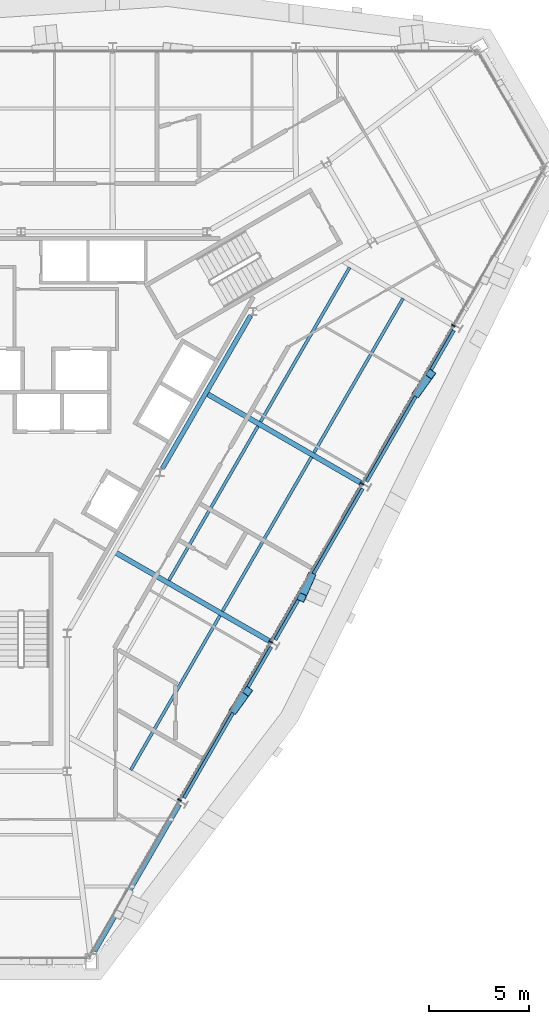
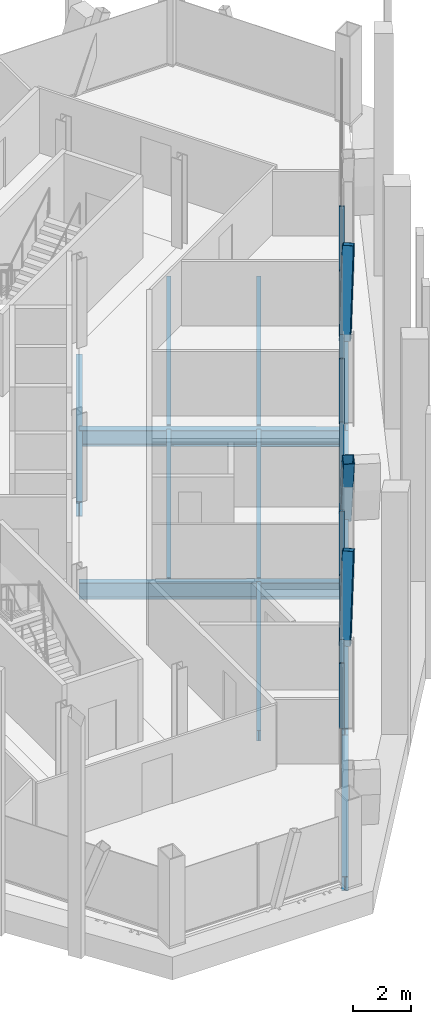
# One storey, part 5 of 16: 12 beams, 10 members, 1 element without a shape of its own.
"""IFC4 building model written with IfcOpenShell, lengths in metres."""

from ifc_helpers import new_model, si_unit, direction, frame, origin, origin_2d, place, context, subcontext, project, spatial, rectangle, hollow_rectangle, i_section, extrude, material, material_profile, profile_set, type_object, element, aggregate, save


model = new_model("IFC4")

# Units and contexts
model_context = context("Model", 3, precision=1e-05, world=origin(), true_north=direction((0.0, 1.0)))
body_context = subcontext(model_context, "Body", "Model", "MODEL_VIEW")
ifc_project = project(units=[si_unit("LENGTHUNIT", "METRE"), si_unit("AREAUNIT", "SQUARE_METRE"), si_unit("VOLUMEUNIT", "CUBIC_METRE"), si_unit("PLANEANGLEUNIT", "RADIAN"), si_unit("MASSUNIT", "GRAM", prefix="KILO")], contexts=[model_context])

# Site, building, storey
site_placement = place(None, origin())
site = spatial("IfcSite", under=ifc_project, at=site_placement, CompositionType="ELEMENT")
building_placement = place(site_placement, origin())
building = spatial("IfcBuilding", under=site, at=building_placement, Name="Verrane Prism Tower", CompositionType="ELEMENT")
storey_placement = place(building_placement, frame((0.0, 0.0, 247.10009765625)))
storey = spatial("IfcBuildingStorey", under=building, at=storey_placement, Name="L62", CompositionType="ELEMENT", Elevation=247.10009765625)

# Beam
ifc_material_1 = material(Name="Steel A992", Category="steel")
ifc_material_profile_1 = material_profile(ifc_material_1, i_section(OverallWidth=0.23046875, OverallDepth=0.6171875, WebThickness=0.01318359375, FlangeThickness=0.022216796875, FilletRadius=0.012939453125, at=origin_2d()), Name="W24x94")
ifc_profile_set_1 = profile_set([ifc_material_profile_1], Name="Steel A992")
beam_type_1 = type_object("IfcBeamType", Name="Core ring girder W24x94", PredefinedType="BEAM", material=ifc_profile_set_1)
beam_1_placement = place(storey_placement, frame((7.04150390625, -3.806884765625, -0.55859375), z_axis=(0.499967007444, 0.866044451208, 0.0), x_axis=(-0.866044451208, 0.499967007444, 0.0)))
element("IfcBeam", 1, at=beam_1_placement, inside=storey, type_object=beam_type_1, Name="Core ring girder L62", PredefinedType="BEAM", context=body_context, shape_type="SweptSolid", body=[
    extrude(i_section(OverallWidth=0.23046875, OverallDepth=0.6171875, WebThickness=0.01318359375, FlangeThickness=0.022216796875, FilletRadius=0.012939453125, at=origin_2d()), origin(), (0.0, 0.0, 1.0), 8.814453125),
])

# Members
ifc_material_2 = material(Name="Steel A500 Grade C", Category="steel")
ifc_material_profile_2 = material_profile(ifc_material_2, hollow_rectangle(XDim=0.406494140625, YDim=0.406494140625, WallThickness=0.01904296875, InnerFilletRadius=0.009521484375, OuterFilletRadius=0.028564453125, at=origin_2d()), Name="HSS16x16x3/4")
ifc_profile_set_2 = profile_set([ifc_material_profile_2], Name="Steel A500 Grade C")
member_type_1 = type_object("IfcMemberType", Name="Facade brace HSS16x16x3/4", PredefinedType="BRACE", material=ifc_profile_set_2)
member_1_placement = place(storey_placement, frame((10.637451171875, -15.805419921875, -0.216796875), z_axis=(0.193049256884, 0.265911644572, 0.944469682784), x_axis=(-0.809229470828, 0.587492692332, 0.0)))
element("IfcMember", 2, at=member_1_placement, inside=storey, type_object=member_type_1, Name="Facade brace SE1 L62", PredefinedType="BRACE", context=body_context, shape_type="SweptSolid", body=[
    extrude(hollow_rectangle(XDim=0.406494140625, YDim=0.406494140625, WallThickness=0.01904296875, InnerFilletRadius=0.009521484375, OuterFilletRadius=0.028564453125, at=origin_2d()), origin(), (0.0, 0.0, 1.0), 3.38427734375),
])
member_2_placement = place(storey_placement, frame((14.45458984375, -9.19775390625, -0.216796875), z_axis=(-0.13691049232, -0.305205303594, 0.94239335723), x_axis=(0.912404043142, -0.409290681617, 0.0)))
element("IfcMember", 3, at=member_2_placement, inside=storey, type_object=member_type_1, Name="Facade brace SE2 L62", PredefinedType="BRACE", context=body_context, shape_type="SweptSolid", body=[
    extrude(hollow_rectangle(XDim=0.406494140625, YDim=0.406494140625, WallThickness=0.01904296875, InnerFilletRadius=0.009521484375, OuterFilletRadius=0.028564453125, at=origin_2d()), origin(), (0.0, 0.0, 1.0), 3.3916015625),
])
member_3_placement = place(storey_placement, frame((19.747314453125, -0.028564453125, -0.216796875), z_axis=(0.198444922866, 0.276515726759, 0.940297115514), x_axis=(-0.812433944789, 0.583053244013, 0.0)))
element("IfcMember", 4, at=member_3_placement, inside=storey, type_object=member_type_1, Name="Facade brace SE3 L62", PredefinedType="BRACE", context=body_context, shape_type="SweptSolid", body=[
    extrude(hollow_rectangle(XDim=0.406494140625, YDim=0.406494140625, WallThickness=0.01904296875, InnerFilletRadius=0.009521484375, OuterFilletRadius=0.028564453125, at=origin_2d()), origin(), (0.0, 0.0, 1.0), 3.399169921875),
])

# Beams
ifc_material_3 = material(Name="Steel A992", Category="steel")
ifc_material_profile_3 = material_profile(ifc_material_3, i_section(OverallWidth=0.15234375, OverallDepth=0.449462890625, WebThickness=0.007568359375, FlangeThickness=0.0107421875, FilletRadius=0.01025390625, at=origin_2d()), Name="W18x35")
ifc_profile_set_3 = profile_set([ifc_material_profile_3], Name="Steel A992")
beam_type_2 = type_object("IfcBeamType", Name="Floor beam W18x35", PredefinedType="BEAM", material=ifc_profile_set_3)
beam_2_placement = place(storey_placement, frame((5.47119140625, -18.83349609375, -0.385009765625), z_axis=(0.50000642917, 0.866021691869, 0.0), x_axis=(-0.866021691869, 0.50000642917, 0.0)))
element("IfcBeam", 5, at=beam_2_placement, inside=storey, type_object=beam_type_2, Name="Floor beam L62", PredefinedType="BEAM", context=body_context, shape_type="SweptSolid", body=[
    extrude(i_section(OverallWidth=0.15234375, OverallDepth=0.449462890625, WebThickness=0.007568359375, FlangeThickness=0.0107421875, FilletRadius=0.01025390625, at=origin_2d()), origin(), (0.0, 0.0, 1.0), 8.880859375),
])
beam_3_placement = place(storey_placement, frame((10.03857421875, -10.92236328125, -0.385009765625), z_axis=(0.499996860793, 0.866027216199, 0.0), x_axis=(-0.866027216199, 0.499996860793, 0.0)))
element("IfcBeam", 6, at=beam_3_placement, inside=storey, type_object=beam_type_2, Name="Floor beam L62", PredefinedType="BEAM", context=body_context, shape_type="SweptSolid", body=[
    extrude(i_section(OverallWidth=0.15234375, OverallDepth=0.449462890625, WebThickness=0.007568359375, FlangeThickness=0.0107421875, FilletRadius=0.01025390625, at=origin_2d()), origin(), (0.0, 0.0, 1.0), 8.88232421875),
])
beam_4_placement = place(storey_placement, frame((7.371337890625, -9.383544921875, -0.385009765625), z_axis=(0.499999195485, 0.866025868271, 0.0), x_axis=(-0.866025868271, 0.499999195485, 0.0)))
element("IfcBeam", 7, at=beam_4_placement, inside=storey, type_object=beam_type_2, Name="Floor beam L62", PredefinedType="BEAM", context=body_context, shape_type="SweptSolid", body=[
    extrude(i_section(OverallWidth=0.15234375, OverallDepth=0.449462890625, WebThickness=0.007568359375, FlangeThickness=0.0107421875, FilletRadius=0.01025390625, at=origin_2d()), origin(), (0.0, 0.0, 1.0), 8.8837890625),
])
beam_5_placement = place(storey_placement, frame((14.606689453125, -3.010009765625, -0.385009765625), z_axis=(0.500005807019, 0.866022051074, 0.0), x_axis=(-0.866022051074, 0.500005807019, 0.0)))
element("IfcBeam", 8, at=beam_5_placement, inside=storey, type_object=beam_type_2, Name="Floor beam L62", PredefinedType="BEAM", context=body_context, shape_type="SweptSolid", body=[
    extrude(i_section(OverallWidth=0.15234375, OverallDepth=0.449462890625, WebThickness=0.007568359375, FlangeThickness=0.0107421875, FilletRadius=0.01025390625, at=origin_2d()), origin(), (0.0, 0.0, 1.0), 8.87548828125),
])
beam_6_placement = place(storey_placement, frame((11.940185546875, -1.469970703125, -0.385009765625), z_axis=(0.500000279077, 0.866025242659, 0.0), x_axis=(-0.866025242659, 0.500000279077, 0.0)))
element("IfcBeam", 9, at=beam_6_placement, inside=storey, type_object=beam_type_2, Name="Floor beam L62", PredefinedType="BEAM", context=body_context, shape_type="SweptSolid", body=[
    extrude(i_section(OverallWidth=0.15234375, OverallDepth=0.449462890625, WebThickness=0.007568359375, FlangeThickness=0.0107421875, FilletRadius=0.01025390625, at=origin_2d()), origin(), (0.0, 0.0, 1.0), 8.87451171875),
])

# Curtain wall, members
ifc_material_4 = material(Name="Aluminium framed insulated glazing", Category="aluminium")
curtain_wall_type = type_object("IfcCurtainWallType", Name="Curtain wall CW-A 8400 module", PredefinedType="NOTDEFINED", material=ifc_material_4)
curtain_wall_placement = place(storey_placement, origin())
curtain_wall = element("IfcCurtainWall", 10, at=curtain_wall_placement, inside=storey, type_object=curtain_wall_type, Name="Glazed curtain wall south-east face L62", PredefinedType="NOTDEFINED")
ifc_material_5 = material(Name="Aluminium alloy 6063-T6", Category="aluminium")
ifc_material_profile_4 = material_profile(ifc_material_5, rectangle(XDim=0.199951171875, YDim=0.070068359375, at=origin_2d()), Name="Mullion 70x200 aluminium")
ifc_profile_set_4 = profile_set([ifc_material_profile_4], Name="Aluminium alloy 6063-T6")
member_type_2 = type_object("IfcMemberType", Name="Mullion 70x200 aluminium", PredefinedType="MULLION", material=ifc_profile_set_4)
member_4_placement = place(storey_placement, frame((7.894775390625, -20.32958984375, 0.0), z_axis=(0.0, 0.0, 1.0), x_axis=(-0.866025525748, 0.499999788753, 0.0)))
member_4 = element("IfcMember", 11, at=member_4_placement, type_object=member_type_2, Name="CW62.6 mullion 2", PredefinedType="MULLION", context=body_context, shape_type="SweptSolid", body=[
    extrude(rectangle(XDim=0.199951171875, YDim=0.070068359375, at=origin_2d()), origin(), (0.0, 0.0, 1.0), 2.712890625),
])
member_5_placement = place(storey_placement, frame((12.447509765625, -12.44384765625, 0.0), z_axis=(0.0, 0.0, 1.0), x_axis=(-0.866025525748, 0.499999788753, 0.0)))
member_5 = element("IfcMember", 12, at=member_5_placement, type_object=member_type_2, Name="CW62.6 mullion 3", PredefinedType="MULLION", context=body_context, shape_type="SweptSolid", body=[
    extrude(rectangle(XDim=0.199951171875, YDim=0.070068359375, at=origin_2d()), origin(), (0.0, 0.0, 1.0), 2.712890625),
])
member_6_placement = place(storey_placement, frame((17.000244140625, -4.55810546875, 0.0), z_axis=(0.0, 0.0, 1.0), x_axis=(-0.866025525748, 0.499999788753, 0.0)))
member_6 = element("IfcMember", 13, at=member_6_placement, type_object=member_type_2, Name="CW62.6 mullion 4", PredefinedType="MULLION", context=body_context, shape_type="SweptSolid", body=[
    extrude(rectangle(XDim=0.199951171875, YDim=0.070068359375, at=origin_2d()), origin(), (0.0, 0.0, 1.0), 2.712890625),
])
member_7_placement = place(storey_placement, frame((21.55322265625, 3.32763671875, 0.0), z_axis=(0.0, 0.0, 1.0), x_axis=(-0.866025525748, 0.499999788753, 0.0)))
member_7 = element("IfcMember", 14, at=member_7_placement, type_object=member_type_2, Name="CW62.6 mullion 5", PredefinedType="MULLION", context=body_context, shape_type="SweptSolid", body=[
    extrude(rectangle(XDim=0.199951171875, YDim=0.070068359375, at=origin_2d()), origin(), (0.0, 0.0, 1.0), 2.712890625),
])

# Beams
ifc_material_6 = material(Name="Steel A992", Category="steel")
ifc_material_profile_5 = material_profile(ifc_material_6, i_section(OverallWidth=0.25390625, OverallDepth=0.683349609375, WebThickness=0.012451171875, FlangeThickness=0.01904296875, FilletRadius=0.01513671875, at=origin_2d()), Name="W27x94")
ifc_profile_set_5 = profile_set([ifc_material_profile_5], Name="Steel A992")
beam_type_3 = type_object("IfcBeamType", Name="Radial girder W27x94", PredefinedType="BEAM", material=ifc_profile_set_5)
beam_7_placement = place(storey_placement, frame((12.378662109375, -12.404541015625, -0.561767578125), z_axis=(-0.866731812072, 0.498774464004, 0.0), x_axis=(-0.498774464004, -0.866731812072, 0.0)))
element("IfcBeam", 15, at=beam_7_placement, inside=storey, type_object=beam_type_3, Name="Radial girder L62", PredefinedType="BEAM", context=body_context, shape_type="SweptSolid", body=[
    extrude(i_section(OverallWidth=0.25390625, OverallDepth=0.683349609375, WebThickness=0.012451171875, FlangeThickness=0.01904296875, FilletRadius=0.01513671875, at=origin_2d()), origin(), (0.0, 0.0, 1.0), 8.9208984375),
])
beam_8_placement = place(storey_placement, frame((16.935791015625, -4.51708984375, -0.561767578125), z_axis=(-0.865283272742, 0.501283211283, 0.0), x_axis=(-0.501283211283, -0.865283272742, 0.0)))
element("IfcBeam", 16, at=beam_8_placement, inside=storey, type_object=beam_type_3, Name="Radial girder L62", PredefinedType="BEAM", context=body_context, shape_type="SweptSolid", body=[
    extrude(i_section(OverallWidth=0.25390625, OverallDepth=0.683349609375, WebThickness=0.012451171875, FlangeThickness=0.01904296875, FilletRadius=0.01513671875, at=origin_2d()), origin(), (0.0, 0.0, 1.0), 8.923828125),
])
ifc_material_7 = material(Name="Steel A992", Category="steel")
ifc_material_profile_6 = material_profile(ifc_material_7, i_section(OverallWidth=0.23046875, OverallDepth=0.6171875, WebThickness=0.01318359375, FlangeThickness=0.022216796875, FilletRadius=0.012939453125, at=origin_2d()), Name="W24x94")
ifc_profile_set_6 = profile_set([ifc_material_profile_6], Name="Steel A992")
beam_type_4 = type_object("IfcBeamType", Name="Spandrel beam W24x94", PredefinedType="SPANDREL", material=ifc_profile_set_6)
beam_9_placement = place(storey_placement, frame((3.665283203125, -27.87451171875, -0.46875), z_axis=(0.500263633712, 0.865873141277, 0.0), x_axis=(-0.865873141277, 0.500263633712, 0.0)))
element("IfcBeam", 17, at=beam_9_placement, inside=storey, type_object=beam_type_4, Name="Spandrel beam L62", PredefinedType="SPANDREL", context=body_context, shape_type="SweptSolid", body=[
    extrude(i_section(OverallWidth=0.23046875, OverallDepth=0.6171875, WebThickness=0.01318359375, FlangeThickness=0.022216796875, FilletRadius=0.012939453125, at=origin_2d()), origin(), (0.0, 0.0, 1.0), 8.447265625),
])
beam_10_placement = place(storey_placement, frame((8.090576171875, -20.215087890625, -0.46875), z_axis=(0.500127672074, 0.865951679729, 0.0), x_axis=(-0.865951679729, 0.500127672074, 0.0)))
element("IfcBeam", 18, at=beam_10_placement, inside=storey, type_object=beam_type_4, Name="Spandrel beam L62", PredefinedType="SPANDREL", context=body_context, shape_type="SweptSolid", body=[
    extrude(i_section(OverallWidth=0.23046875, OverallDepth=0.6171875, WebThickness=0.01318359375, FlangeThickness=0.022216796875, FilletRadius=0.012939453125, at=origin_2d()), origin(), (0.0, 0.0, 1.0), 8.709228515625),
])
beam_11_placement = place(storey_placement, frame((12.645751953125, -12.328125, -0.46875), z_axis=(0.50028693786, 0.865859676742, 0.0), x_axis=(-0.865859676742, 0.50028693786, 0.0)))
element("IfcBeam", 19, at=beam_11_placement, inside=storey, type_object=beam_type_4, Name="Spandrel beam L62", PredefinedType="SPANDREL", context=body_context, shape_type="SweptSolid", body=[
    extrude(i_section(OverallWidth=0.23046875, OverallDepth=0.6171875, WebThickness=0.01318359375, FlangeThickness=0.022216796875, FilletRadius=0.012939453125, at=origin_2d()), origin(), (0.0, 0.0, 1.0), 8.7099609375),
])
beam_12_placement = place(storey_placement, frame((17.202392578125, -4.441162109375, -0.46875), z_axis=(0.499592968998, 0.866260275742, 0.0), x_axis=(-0.866260275742, 0.499592968998, 0.0)))
element("IfcBeam", 20, at=beam_12_placement, inside=storey, type_object=beam_type_4, Name="Spandrel beam L62", PredefinedType="SPANDREL", context=body_context, shape_type="SweptSolid", body=[
    extrude(i_section(OverallWidth=0.23046875, OverallDepth=0.6171875, WebThickness=0.01318359375, FlangeThickness=0.022216796875, FilletRadius=0.012939453125, at=origin_2d()), origin(), (0.0, 0.0, 1.0), 8.705810546875),
])

# Member
ifc_material_8 = material(Name="Aluminium alloy 6063-T6", Category="aluminium")
ifc_material_profile_7 = material_profile(ifc_material_8, rectangle(XDim=0.14990234375, YDim=0.070068359375, at=origin_2d()), Name="Transom 70x150 aluminium")
ifc_profile_set_7 = profile_set([ifc_material_profile_7], Name="Aluminium alloy 6063-T6")
member_type_3 = type_object("IfcMemberType", Name="Transom 70x150 aluminium", PredefinedType="USERDEFINED", material=ifc_profile_set_7)
member_8_placement = place(storey_placement, frame((7.912109375, -20.299072265625, 0.034912109375), z_axis=(0.500007022283, 0.866021349429, 0.0), x_axis=(-0.866021349429, 0.500007022283, 0.0)))
member_8 = element("IfcMember", 21, at=member_8_placement, type_object=member_type_3, Name="CW62.6 transom 2", ObjectType="TRANSOM", PredefinedType="USERDEFINED", context=body_context, shape_type="SweptSolid", body=[
    extrude(rectangle(XDim=0.14990234375, YDim=0.070068359375, at=origin_2d()), origin(), (0.0, 0.0, 1.0), 9.035400390625),
])

member_9_placement = place(storey_placement, frame((12.465087890625, -12.413330078125, 0.034912109375), z_axis=(0.500007022283, 0.866021349429, 0.0), x_axis=(-0.866021349429, 0.500007022283, 0.0)))
member_9 = element("IfcMember", 22, at=member_9_placement, type_object=member_type_3, Name="CW62.6 transom 3", ObjectType="TRANSOM", PredefinedType="USERDEFINED", context=body_context, shape_type="SweptSolid", body=[
    extrude(rectangle(XDim=0.14990234375, YDim=0.070068359375, at=origin_2d()), origin(), (0.0, 0.0, 1.0), 9.035400390625),
])

member_10_placement = place(storey_placement, frame((17.017822265625, -4.52783203125, 0.034912109375), z_axis=(0.499995322353, 0.866028104408, 0.0), x_axis=(-0.866028104408, 0.499995322353, 0.0)))
member_10 = element("IfcMember", 23, at=member_10_placement, type_object=member_type_3, Name="CW62.6 transom 4", ObjectType="TRANSOM", PredefinedType="USERDEFINED", context=body_context, shape_type="SweptSolid", body=[
    extrude(rectangle(XDim=0.14990234375, YDim=0.070068359375, at=origin_2d()), origin(), (0.0, 0.0, 1.0), 9.03564453125),
])

aggregate(curtain_wall, [member_4, member_5, member_6, member_7, member_8, member_9, member_10])

save(model, "model.ifc")
